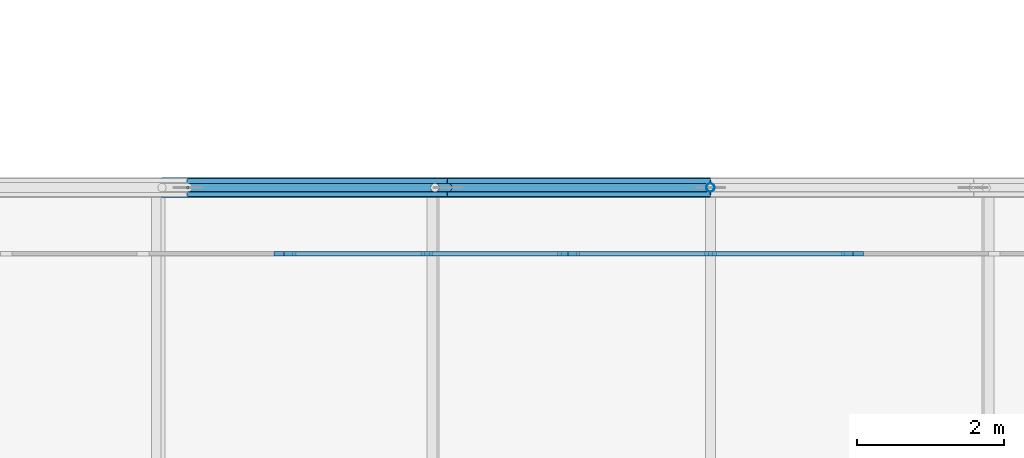
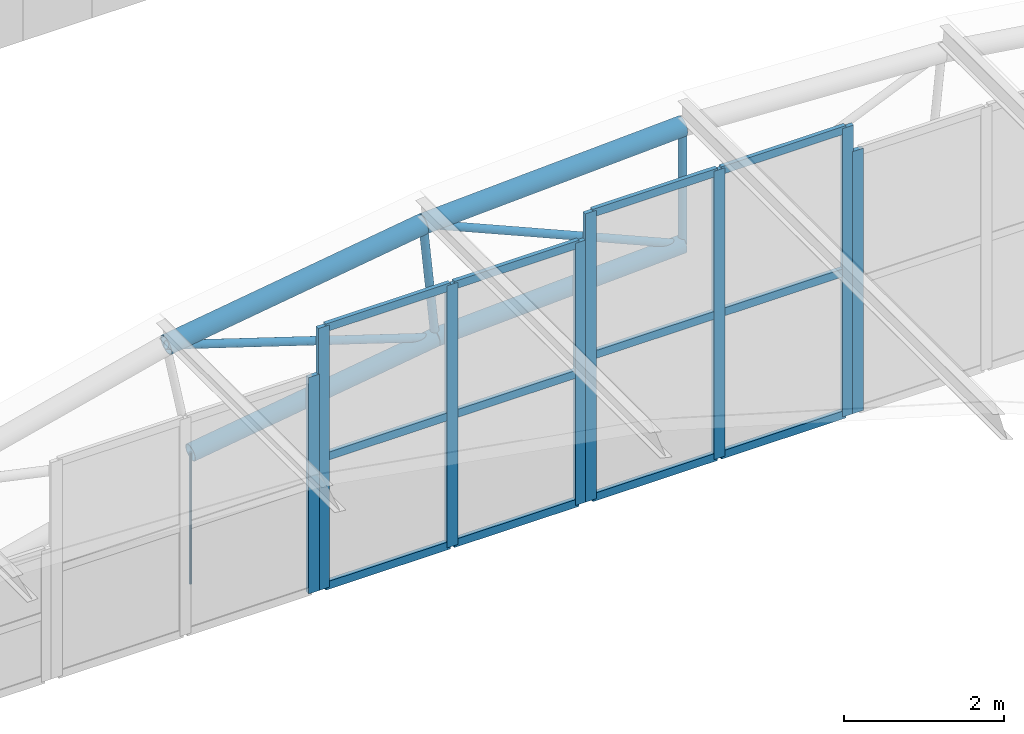
# One storey, part 223 of 321: 29 members, 4 elements without a shape of their own.
"""IFC4 building model written with IfcOpenShell, lengths in metres."""

from ifc_helpers import new_model, si_unit, direction, frame, origin, origin_2d, place, context, subcontext, project, spatial, rectangle, circle, hollow_circle, extrude, material, layer, layer_set, material_profile, profile_set, type_object, element, aggregate, save


model = new_model("IFC4")

# Units and contexts
model_context = context("Model", 3, precision=1e-05, world=origin(), true_north=direction((0.0, 1.0)))
body_context = subcontext(model_context, "Body", "Model", "MODEL_VIEW")
ifc_project = project(units=[si_unit("LENGTHUNIT", "METRE"), si_unit("AREAUNIT", "SQUARE_METRE"), si_unit("VOLUMEUNIT", "CUBIC_METRE"), si_unit("PLANEANGLEUNIT", "RADIAN"), si_unit("MASSUNIT", "GRAM", prefix="KILO")], contexts=[model_context])

# Site, building, storey
site_placement = place(None, origin())
site = spatial("IfcSite", under=ifc_project, at=site_placement, CompositionType="ELEMENT")
building_placement = place(site_placement, origin())
building = spatial("IfcBuilding", under=site, at=building_placement, Name="Ravi Spectrum Wholesale Market", CompositionType="ELEMENT")
storey_placement = place(building_placement, frame((0.0, 0.0, 10.800048828125)))
storey = spatial("IfcBuildingStorey", under=building, at=storey_placement, Name="L02", CompositionType="ELEMENT", Elevation=10.800048828125)

# Members
ifc_material_1 = material(Name="Steel S355", Category="steel")
ifc_material_profile_1 = material_profile(ifc_material_1, hollow_circle(Radius=0.05712890625, WallThickness=0.00390625, at=origin_2d()))
ifc_profile_set_1 = profile_set([ifc_material_profile_1], Name="Steel S355")
member_type_1 = type_object("IfcMemberType", Name="CHS 114.3x4 brace", PredefinedType="BRACE", material=ifc_profile_set_1)
for number, where, z_axis, x_axis, name in (
    (1, (172.551513671875, 186.0, 3.767822265625), (0.952400500519, 0.0, -0.304849613108), (0.0, 1.0, 0.0), "H3-MB-L02-192"),
    (2, (176.2578125, 186.0, 4.31640625), (0.918016770488, 0.0, -0.396541560373), (0.0, 1.0, 0.0), "H3-MB-L02-193"),
):
    element("IfcMember", number, at=place(storey_placement, frame(where, z_axis=z_axis, x_axis=x_axis)), inside=storey, type_object=member_type_1, Name=name, PredefinedType="BRACE", context=body_context, shape_type="SweptSolid", body=[
        extrude(hollow_circle(Radius=0.05712890625, WallThickness=0.00390625, at=origin_2d()), origin(), (0.0, 0.0, 1.0), 4.076416015625),
    ])
ifc_material_2 = material(Name="Steel S355", Category="steel")
ifc_material_profile_2 = material_profile(ifc_material_2, hollow_circle(Radius=0.05712890625, WallThickness=0.00390625, at=origin_2d()))
ifc_profile_set_2 = profile_set([ifc_material_profile_2], Name="Steel S355")
member_type_2 = type_object("IfcMemberType", Name="CHS 114.3x4 post", PredefinedType="POST", material=ifc_profile_set_2)
member_1_placement = place(storey_placement, frame((176.2578125, 186.0, 4.31640625), z_axis=(0.097797973815, 0.0, -0.995206288323), x_axis=(0.0, 1.0, 0.0)))
element("IfcMember", 3, at=member_1_placement, inside=storey, type_object=member_type_2, Name="H3-MB-L02-184", PredefinedType="POST", context=body_context, shape_type="SweptSolid", body=[
    extrude(hollow_circle(Radius=0.05712890625, WallThickness=0.00390625, at=origin_2d()), origin(), (0.0, 0.0, 1.0), 1.7998046875),
])
member_2_placement = place(storey_placement, frame((180.0, 186.0, 4.5), z_axis=(0.0, 0.0, -1.0), x_axis=(1.0, 0.0, 0.0)))
element("IfcMember", 4, at=member_2_placement, inside=storey, type_object=member_type_2, Name="H3-MB-L02-185", PredefinedType="POST", context=body_context, shape_type="SweptSolid", body=[
    extrude(hollow_circle(Radius=0.05712890625, WallThickness=0.00390625, at=origin_2d()), origin(), (0.0, 0.0, 1.0), 1.800048828125),
])
ifc_material_3 = material(Name="Steel S355", Category="steel")
ifc_material_profile_3 = material_profile(ifc_material_3, hollow_circle(Radius=0.122314453125, WallThickness=0.008056640625, at=origin_2d()))
ifc_profile_set_3 = profile_set([ifc_material_profile_3], Name="Steel S355")
member_type_3 = type_object("IfcMemberType", Name="CHS 244.5x8 chord", PredefinedType="CHORD", material=ifc_profile_set_3)
member_3_placement = place(storey_placement, frame((172.902099609375, 186.0, 2.002197265625), z_axis=(0.989214474115, 0.0, 0.146474312426), x_axis=(0.0, 1.0, 0.0)))
element("IfcMember", 5, at=member_3_placement, inside=storey, type_object=member_type_3, Name="H3-MB-L02-174", PredefinedType="CHORD", context=body_context, shape_type="SweptSolid", body=[
    extrude(hollow_circle(Radius=0.122314453125, WallThickness=0.008056640625, at=origin_2d()), origin(), (0.0, 0.0, 1.0), 3.5703125),
])
member_4_placement = place(storey_placement, frame((176.433837890625, 186.0, 2.525146484375), z_axis=(0.998800798306, 0.0, 0.048958812322), x_axis=(0.0, 1.0, 0.0)))
element("IfcMember", 6, at=member_4_placement, inside=storey, type_object=member_type_3, Name="H3-MB-L02-175", PredefinedType="CHORD", context=body_context, shape_type="SweptSolid", body=[
    extrude(hollow_circle(Radius=0.122314453125, WallThickness=0.008056640625, at=origin_2d()), origin(), (0.0, 0.0, 1.0), 3.570556640625),
])
ifc_material_4 = material(Name="Steel S355", Category="steel")
ifc_material_profile_4 = material_profile(ifc_material_4, hollow_circle(Radius=0.136474609375, WallThickness=0.010009765625, at=origin_2d()))
ifc_profile_set_4 = profile_set([ifc_material_profile_4], Name="Steel S355")
member_type_4 = type_object("IfcMemberType", Name="CHS 273x10 chord", PredefinedType="CHORD", material=ifc_profile_set_4)
for number, where, z_axis, x_axis, name in (
    (7, (172.551513671875, 186.0, 3.767822265625), (0.989222696265, 0.0, 0.146418773368), (0.0, 1.0, 0.0), "H3-MB-L02-164"),
    (8, (176.2578125, 186.0, 4.31640625), (0.998798699726, 0.0, 0.049001606354), (0.0, 1.0, 0.0), "H3-MB-L02-165"),
):
    element("IfcMember", number, at=place(storey_placement, frame(where, z_axis=z_axis, x_axis=x_axis)), inside=storey, type_object=member_type_4, Name=name, PredefinedType="CHORD", context=body_context, shape_type="SweptSolid", body=[
        extrude(hollow_circle(Radius=0.136474609375, WallThickness=0.010009765625, at=origin_2d()), origin(), (0.0, 0.0, 1.0), 3.74658203125),
    ])

# Curtain wall, member
ifc_material_5 = material(Name="Aluminium 6063-T6", Category="aluminium")
ifc_layer = layer(ifc_material_5, 0.14990234375)
ifc_layer_set = layer_set([ifc_layer], Name="Aluminium 6063-T6")
curtain_wall_type = type_object("IfcCurtainWallType", Name="Curtain wall 150", PredefinedType="NOTDEFINED", material=ifc_layer_set)
curtain_wall_1_placement = place(storey_placement, origin())
curtain_wall_1 = element("IfcCurtainWall", 9, at=curtain_wall_1_placement, inside=storey, type_object=curtain_wall_type, Name="H3-CW-L02-009", PredefinedType="NOTDEFINED")
ifc_material_6 = material(Name="Aluminium 6063-T6", Category="aluminium")
ifc_material_profile_5 = material_profile(ifc_material_6, rectangle(XDim=0.06005859375, YDim=0.159912109375, at=origin_2d()))
ifc_profile_set_5 = profile_set([ifc_material_profile_5], Name="Aluminium 6063-T6")
member_type_5 = type_object("IfcMemberType", Name="Mullion 60 x 160", PredefinedType="MULLION", material=ifc_profile_set_5)
member_5_placement = place(storey_placement, frame((174.149169921875, 185.10009765625, 0.0), z_axis=(0.0, 0.0, 1.0), x_axis=(0.0, 1.0, 0.0)))
member_5 = element("IfcMember", 10, at=member_5_placement, type_object=member_type_5, Name="H3-CW-L02-009 mullion 3", PredefinedType="MULLION", context=body_context, shape_type="SweptSolid", body=[
    extrude(rectangle(XDim=0.06005859375, YDim=0.159912109375, at=origin_2d()), origin(), (0.0, 0.0, 1.0), 3.300048828125),
])
aggregate(curtain_wall_1, [member_5])

# Curtain wall, members
curtain_wall_2_placement = place(storey_placement, origin())
curtain_wall_2 = element("IfcCurtainWall", 11, at=curtain_wall_2_placement, inside=storey, type_object=curtain_wall_type, Name="H3-CW-L02-010", PredefinedType="NOTDEFINED")
member_6_placement = place(storey_placement, frame((174.289306640625, 185.10009765625, 0.0), z_axis=(0.0, 0.0, 1.0), x_axis=(0.0, 1.0, 0.0)))
member_6 = element("IfcMember", 12, at=member_6_placement, type_object=member_type_5, Name="H3-CW-L02-010 mullion 1", PredefinedType="MULLION", context=body_context, shape_type="SweptSolid", body=[
    extrude(rectangle(XDim=0.06005859375, YDim=0.159912109375, at=origin_2d()), origin(), (0.0, 0.0, 1.0), 4.0),
])
member_7_placement = place(storey_placement, frame((176.146240234375, 185.10009765625, 0.0), z_axis=(0.0, 0.0, 1.0), x_axis=(0.0, 1.0, 0.0)))
member_7 = element("IfcMember", 13, at=member_7_placement, type_object=member_type_5, Name="H3-CW-L02-010 mullion 2", PredefinedType="MULLION", context=body_context, shape_type="SweptSolid", body=[
    extrude(rectangle(XDim=0.06005859375, YDim=0.159912109375, at=origin_2d()), origin(), (0.0, 0.0, 1.0), 4.0),
])
member_8_placement = place(storey_placement, frame((178.003173828125, 185.10009765625, 0.0), z_axis=(0.0, 0.0, 1.0), x_axis=(0.0, 1.0, 0.0)))
member_8 = element("IfcMember", 14, at=member_8_placement, type_object=member_type_5, Name="H3-CW-L02-010 mullion 3", PredefinedType="MULLION", context=body_context, shape_type="SweptSolid", body=[
    extrude(rectangle(XDim=0.06005859375, YDim=0.159912109375, at=origin_2d()), origin(), (0.0, 0.0, 1.0), 4.0),
])

curtain_wall_3_placement = place(storey_placement, origin())
curtain_wall_3 = element("IfcCurtainWall", 15, at=curtain_wall_3_placement, inside=storey, type_object=curtain_wall_type, Name="H3-CW-L02-011", PredefinedType="NOTDEFINED")
member_9_placement = place(storey_placement, frame((178.14306640625, 185.10009765625, 0.0), z_axis=(0.0, 0.0, 1.0), x_axis=(0.0, 1.0, 0.0)))
member_9 = element("IfcMember", 16, at=member_9_placement, type_object=member_type_5, Name="H3-CW-L02-011 mullion 1", PredefinedType="MULLION", context=body_context, shape_type="SweptSolid", body=[
    extrude(rectangle(XDim=0.06005859375, YDim=0.159912109375, at=origin_2d()), origin(), (0.0, 0.0, 1.0), 4.39990234375),
])
member_10_placement = place(storey_placement, frame((180.0, 185.10009765625, 0.0), z_axis=(0.0, 0.0, 1.0), x_axis=(0.0, 1.0, 0.0)))
member_10 = element("IfcMember", 17, at=member_10_placement, type_object=member_type_5, Name="H3-CW-L02-011 mullion 2", PredefinedType="MULLION", context=body_context, shape_type="SweptSolid", body=[
    extrude(rectangle(XDim=0.06005859375, YDim=0.159912109375, at=origin_2d()), origin(), (0.0, 0.0, 1.0), 4.39990234375),
])
member_11_placement = place(storey_placement, frame((181.85693359375, 185.10009765625, 0.0), z_axis=(0.0, 0.0, 1.0), x_axis=(0.0, 1.0, 0.0)))
member_11 = element("IfcMember", 18, at=member_11_placement, type_object=member_type_5, Name="H3-CW-L02-011 mullion 3", PredefinedType="MULLION", context=body_context, shape_type="SweptSolid", body=[
    extrude(rectangle(XDim=0.06005859375, YDim=0.159912109375, at=origin_2d()), origin(), (0.0, 0.0, 1.0), 4.39990234375),
])

# Curtain wall, member
curtain_wall_4_placement = place(storey_placement, origin())
curtain_wall_4 = element("IfcCurtainWall", 19, at=curtain_wall_4_placement, inside=storey, type_object=curtain_wall_type, Name="H3-CW-L02-012", PredefinedType="NOTDEFINED")
member_12_placement = place(storey_placement, frame((181.996826171875, 185.10009765625, 0.0), z_axis=(0.0, 0.0, 1.0), x_axis=(0.0, 1.0, 0.0)))
member_12 = element("IfcMember", 20, at=member_12_placement, type_object=member_type_5, Name="H3-CW-L02-012 mullion 1", PredefinedType="MULLION", context=body_context, shape_type="SweptSolid", body=[
    extrude(rectangle(XDim=0.06005859375, YDim=0.159912109375, at=origin_2d()), origin(), (0.0, 0.0, 1.0), 4.0),
])
aggregate(curtain_wall_4, [member_12])

# Member
ifc_material_7 = material(Name="Steel S355", Category="steel")
ifc_material_profile_6 = material_profile(ifc_material_7, circle(Radius=0.01806640625, at=origin_2d()))
ifc_profile_set_6 = profile_set([ifc_material_profile_6], Name="Steel S355")
member_type_6 = type_object("IfcMemberType", Name="ROD 36 hanger", PredefinedType="STRUT", material=ifc_profile_set_6)
member_13_placement = place(storey_placement, frame((172.902099609375, 186.0, 0.0), z_axis=(0.0, 0.0, 1.0), x_axis=(1.0, 0.0, 0.0)))
element("IfcMember", 21, at=member_13_placement, inside=storey, type_object=member_type_6, Name="H3-MB-L02-199", PredefinedType="STRUT", context=body_context, shape_type="SweptSolid", body=[
    extrude(circle(Radius=0.01806640625, at=origin_2d()), origin(), (0.0, 0.0, 1.0), 2.002197265625),
])

ifc_material_8 = material(Name="Aluminium 6063-T6", Category="aluminium")
ifc_material_profile_7 = material_profile(ifc_material_8, rectangle(XDim=0.06005859375, YDim=0.1201171875, at=origin_2d()))
ifc_profile_set_7 = profile_set([ifc_material_profile_7], Name="Aluminium 6063-T6")
member_type_7 = type_object("IfcMemberType", Name="Transom 60 x 120", PredefinedType="USERDEFINED", material=ifc_profile_set_7)
member_14_placement = place(storey_placement, frame((174.3193359375, 185.10009765625, 0.030029296875), z_axis=(1.0, 0.0, 0.0), x_axis=(0.0, 1.0, 0.0)))
member_14 = element("IfcMember", 22, at=member_14_placement, type_object=member_type_7, Name="H3-CW-L02-010 transom 1.1", ObjectType="TRANSOM", PredefinedType="USERDEFINED", context=body_context, shape_type="SweptSolid", body=[
    extrude(rectangle(XDim=0.06005859375, YDim=0.1201171875, at=origin_2d()), origin(), (0.0, 0.0, 1.0), 1.796875),
])

member_15_placement = place(storey_placement, frame((174.3193359375, 185.10009765625, 2.0), z_axis=(1.0, 0.0, 0.0), x_axis=(0.0, 1.0, 0.0)))
member_15 = element("IfcMember", 23, at=member_15_placement, type_object=member_type_7, Name="H3-CW-L02-010 transom 1.2", ObjectType="TRANSOM", PredefinedType="USERDEFINED", context=body_context, shape_type="SweptSolid", body=[
    extrude(rectangle(XDim=0.06005859375, YDim=0.1201171875, at=origin_2d()), origin(), (0.0, 0.0, 1.0), 1.796875),
])

member_16_placement = place(storey_placement, frame((174.3193359375, 185.10009765625, 3.969970703125), z_axis=(1.0, 0.0, 0.0), x_axis=(0.0, 1.0, 0.0)))
member_16 = element("IfcMember", 24, at=member_16_placement, type_object=member_type_7, Name="H3-CW-L02-010 transom 1.3", ObjectType="TRANSOM", PredefinedType="USERDEFINED", context=body_context, shape_type="SweptSolid", body=[
    extrude(rectangle(XDim=0.06005859375, YDim=0.1201171875, at=origin_2d()), origin(), (0.0, 0.0, 1.0), 1.796875),
])

member_17_placement = place(storey_placement, frame((176.17626953125, 185.10009765625, 0.030029296875), z_axis=(1.0, 0.0, 0.0), x_axis=(0.0, 1.0, 0.0)))
member_17 = element("IfcMember", 25, at=member_17_placement, type_object=member_type_7, Name="H3-CW-L02-010 transom 2.1", ObjectType="TRANSOM", PredefinedType="USERDEFINED", context=body_context, shape_type="SweptSolid", body=[
    extrude(rectangle(XDim=0.06005859375, YDim=0.1201171875, at=origin_2d()), origin(), (0.0, 0.0, 1.0), 1.796875),
])

member_18_placement = place(storey_placement, frame((176.17626953125, 185.10009765625, 2.0), z_axis=(1.0, 0.0, 0.0), x_axis=(0.0, 1.0, 0.0)))
member_18 = element("IfcMember", 26, at=member_18_placement, type_object=member_type_7, Name="H3-CW-L02-010 transom 2.2", ObjectType="TRANSOM", PredefinedType="USERDEFINED", context=body_context, shape_type="SweptSolid", body=[
    extrude(rectangle(XDim=0.06005859375, YDim=0.1201171875, at=origin_2d()), origin(), (0.0, 0.0, 1.0), 1.796875),
])

member_19_placement = place(storey_placement, frame((176.17626953125, 185.10009765625, 3.969970703125), z_axis=(1.0, 0.0, 0.0), x_axis=(0.0, 1.0, 0.0)))
member_19 = element("IfcMember", 27, at=member_19_placement, type_object=member_type_7, Name="H3-CW-L02-010 transom 2.3", ObjectType="TRANSOM", PredefinedType="USERDEFINED", context=body_context, shape_type="SweptSolid", body=[
    extrude(rectangle(XDim=0.06005859375, YDim=0.1201171875, at=origin_2d()), origin(), (0.0, 0.0, 1.0), 1.796875),
])

aggregate(curtain_wall_2, [member_6, member_7, member_8, member_14, member_15, member_16, member_17, member_18, member_19])

member_20_placement = place(storey_placement, frame((178.173095703125, 185.10009765625, 0.030029296875), z_axis=(1.0, 0.0, 0.0), x_axis=(0.0, 1.0, 0.0)))
member_20 = element("IfcMember", 28, at=member_20_placement, type_object=member_type_7, Name="H3-CW-L02-011 transom 1.1", ObjectType="TRANSOM", PredefinedType="USERDEFINED", context=body_context, shape_type="SweptSolid", body=[
    extrude(rectangle(XDim=0.06005859375, YDim=0.1201171875, at=origin_2d()), origin(), (0.0, 0.0, 1.0), 1.796875),
])

member_21_placement = place(storey_placement, frame((178.173095703125, 185.10009765625, 2.199951171875), z_axis=(1.0, 0.0, 0.0), x_axis=(0.0, 1.0, 0.0)))
member_21 = element("IfcMember", 29, at=member_21_placement, type_object=member_type_7, Name="H3-CW-L02-011 transom 1.2", ObjectType="TRANSOM", PredefinedType="USERDEFINED", context=body_context, shape_type="SweptSolid", body=[
    extrude(rectangle(XDim=0.06005859375, YDim=0.1201171875, at=origin_2d()), origin(), (0.0, 0.0, 1.0), 1.796875),
])

member_22_placement = place(storey_placement, frame((178.173095703125, 185.10009765625, 4.369873046875), z_axis=(1.0, 0.0, 0.0), x_axis=(0.0, 1.0, 0.0)))
member_22 = element("IfcMember", 30, at=member_22_placement, type_object=member_type_7, Name="H3-CW-L02-011 transom 1.3", ObjectType="TRANSOM", PredefinedType="USERDEFINED", context=body_context, shape_type="SweptSolid", body=[
    extrude(rectangle(XDim=0.06005859375, YDim=0.1201171875, at=origin_2d()), origin(), (0.0, 0.0, 1.0), 1.796875),
])

member_23_placement = place(storey_placement, frame((180.030029296875, 185.10009765625, 0.030029296875), z_axis=(1.0, 0.0, 0.0), x_axis=(0.0, 1.0, 0.0)))
member_23 = element("IfcMember", 31, at=member_23_placement, type_object=member_type_7, Name="H3-CW-L02-011 transom 2.1", ObjectType="TRANSOM", PredefinedType="USERDEFINED", context=body_context, shape_type="SweptSolid", body=[
    extrude(rectangle(XDim=0.06005859375, YDim=0.1201171875, at=origin_2d()), origin(), (0.0, 0.0, 1.0), 1.796875),
])

member_24_placement = place(storey_placement, frame((180.030029296875, 185.10009765625, 2.199951171875), z_axis=(1.0, 0.0, 0.0), x_axis=(0.0, 1.0, 0.0)))
member_24 = element("IfcMember", 32, at=member_24_placement, type_object=member_type_7, Name="H3-CW-L02-011 transom 2.2", ObjectType="TRANSOM", PredefinedType="USERDEFINED", context=body_context, shape_type="SweptSolid", body=[
    extrude(rectangle(XDim=0.06005859375, YDim=0.1201171875, at=origin_2d()), origin(), (0.0, 0.0, 1.0), 1.796875),
])

member_25_placement = place(storey_placement, frame((180.030029296875, 185.10009765625, 4.369873046875), z_axis=(1.0, 0.0, 0.0), x_axis=(0.0, 1.0, 0.0)))
member_25 = element("IfcMember", 33, at=member_25_placement, type_object=member_type_7, Name="H3-CW-L02-011 transom 2.3", ObjectType="TRANSOM", PredefinedType="USERDEFINED", context=body_context, shape_type="SweptSolid", body=[
    extrude(rectangle(XDim=0.06005859375, YDim=0.1201171875, at=origin_2d()), origin(), (0.0, 0.0, 1.0), 1.796875),
])

aggregate(curtain_wall_3, [member_9, member_10, member_11, member_20, member_21, member_22, member_23, member_24, member_25])

save(model, "model.ifc")
